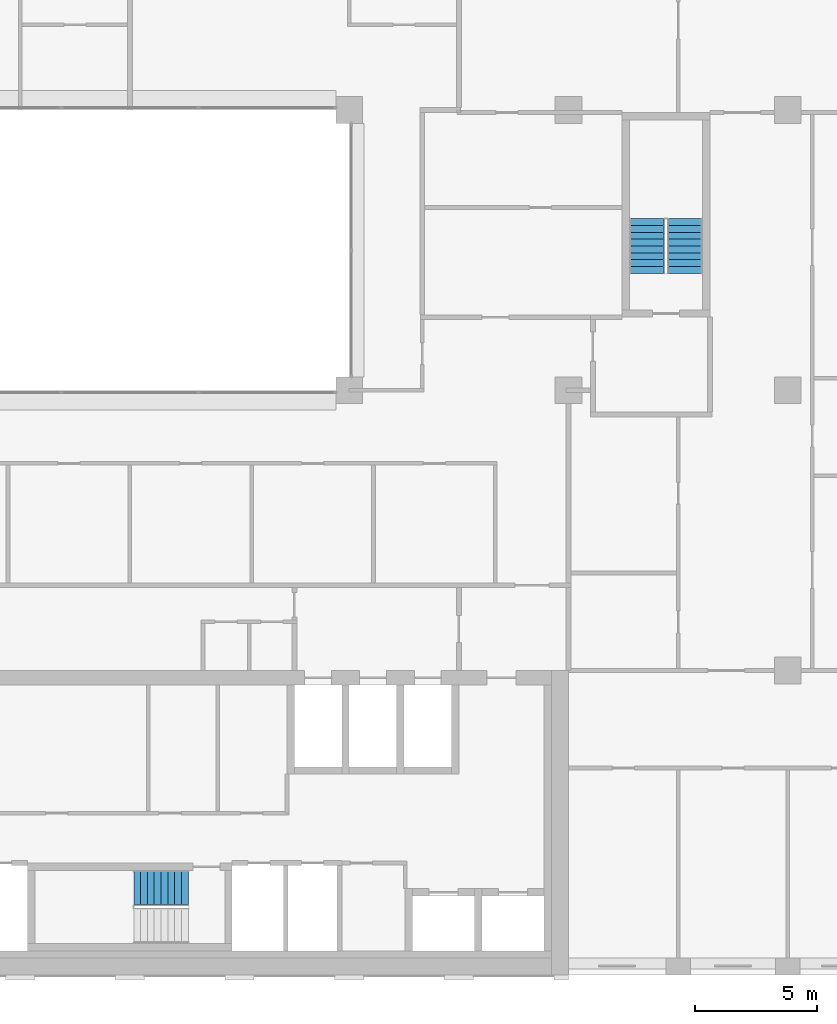
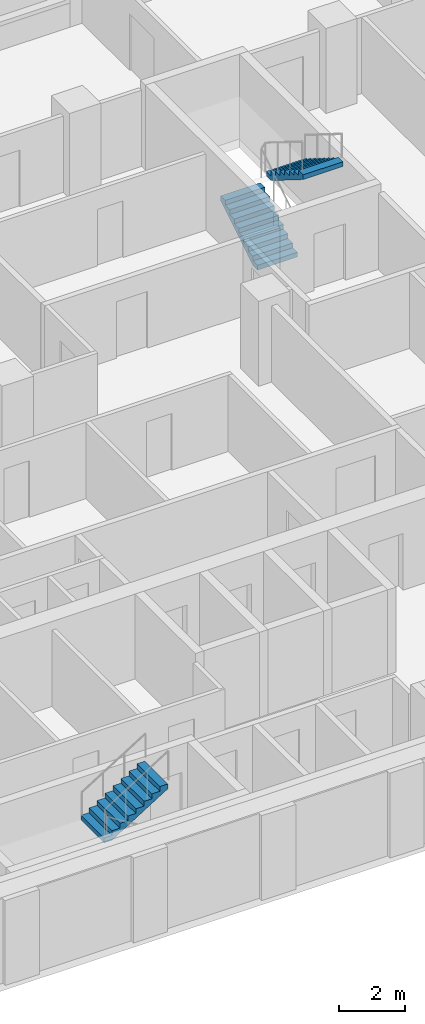
# One storey, part 15 of 16: 3 stair flights, 2 elements without a shape of their own.
"""IFC4 building model written with IfcOpenShell, lengths in metres."""

from ifc_helpers import new_model, si_unit, direction, frame, origin, place, context, subcontext, project, spatial, polyline, outline, extrude, material, type_object, element, aggregate, save


model = new_model("IFC4")

# Units and contexts
model_context = context("Model", 3, precision=1e-05, world=origin(), true_north=direction((0.0, 1.0)))
body_context = subcontext(model_context, "Body", "Model", "MODEL_VIEW")
ifc_project = project(units=[si_unit("LENGTHUNIT", "METRE"), si_unit("AREAUNIT", "SQUARE_METRE"), si_unit("VOLUMEUNIT", "CUBIC_METRE"), si_unit("PLANEANGLEUNIT", "RADIAN"), si_unit("MASSUNIT", "GRAM", prefix="KILO")], contexts=[model_context])

# Site, building, storey
site_placement = place(None, origin())
site = spatial("IfcSite", under=ifc_project, at=site_placement, CompositionType="ELEMENT")
building_placement = place(site_placement, origin())
building = spatial("IfcBuilding", under=site, at=building_placement, Name="Brigalow Station Residences", CompositionType="ELEMENT")
storey_placement = place(building_placement, frame((0.0, 0.0, 166.5)))
storey = spatial("IfcBuildingStorey", under=building, at=storey_placement, Name="L48", CompositionType="ELEMENT", Elevation=166.5)

# Stair, stair flight
ifc_material_1 = material(Name="Concrete C50", Category="concrete")
stair_type = type_object("IfcStairType", Name="EXIT STAIR 1400 2 FLIGHT", PredefinedType="HALF_TURN_STAIR", material=ifc_material_1)
stair_1_placement = place(storey_placement, origin())
stair_1 = element("IfcStair", 1, at=stair_1_placement, inside=storey, type_object=stair_type, Name="EXIT STAIR S2 L48", PredefinedType="HALF_TURN_STAIR")
ifc_material_2 = material(Name="Concrete C50", Category="concrete")
stair_flight_type = type_object("IfcStairFlightType", Name="STAIR FLIGHT 1400", PredefinedType="STRAIGHT", material=ifc_material_2)
stair_flight_1_placement = place(storey_placement, frame((36.159912109375, 3.60009765625, 1.574951171875), z_axis=(0.0, 0.0, 1.0), x_axis=(1.0, 0.0, 0.0)))
stair_flight_1 = element("IfcStairFlight", 2, at=stair_flight_1_placement, type_object=stair_flight_type, Name="ST-2 flight 2", NumberOfRisers=9, NumberOfTreads=8, PredefinedType="STRAIGHT", RiserHeight=0.175, TreadLength=0.28, context=body_context, shape_type="SweptSolid", body=[
    extrude(outline(polyline([(0.0, 0.0), (0.0, 0.175048828125), (0.280029296875, 0.175048828125), (0.280029296875, 0.35009765625), (0.56005859375, 0.35009765625), (0.56005859375, 0.52490234375), (0.840087890625, 0.52490234375), (0.840087890625, 0.699951171875), (1.1201171875, 0.699951171875), (1.1201171875, 0.875), (1.39990234375, 0.875), (1.39990234375, 1.050048828125), (1.679931640625, 1.050048828125), (1.679931640625, 1.22509765625), (1.9599609375, 1.22509765625), (1.9599609375, 1.39990234375), (2.239990234375, 1.39990234375), (2.239990234375, 1.574951171875), (2.239990234375, 1.22314453125), (0.28271484375, 0.0), (0.0, 0.0)])), frame((0.0, 0.699951171875, 0.0), z_axis=(0.0, -1.0, 0.0), x_axis=(1.0, 0.0, 0.0)), (0.0, 0.0, 1.0), 1.39990234375),
])
aggregate(stair_1, [stair_flight_1])

# Stair, stair flights
stair_2_placement = place(storey_placement, origin())
stair_2 = element("IfcStair", 3, at=stair_2_placement, inside=storey, type_object=stair_type, Name="EXIT STAIR S3 L48", PredefinedType="HALF_TURN_STAIR")
stair_flight_2_placement = place(storey_placement, frame((57.199951171875, 28.800048828125, 0.0), z_axis=(0.0, 0.0, 1.0), x_axis=(0.0, 1.0, 0.0)))
stair_flight_2 = element("IfcStairFlight", 4, at=stair_flight_2_placement, type_object=stair_flight_type, Name="ST-3 flight 1", NumberOfRisers=9, NumberOfTreads=8, PredefinedType="STRAIGHT", RiserHeight=0.175, TreadLength=0.28, context=body_context, shape_type="SweptSolid", body=[
    extrude(outline(polyline([(0.0, 0.0), (0.0, 0.175048828125), (0.280029296875, 0.175048828125), (0.280029296875, 0.35009765625), (0.56005859375, 0.35009765625), (0.56005859375, 0.52490234375), (0.840087890625, 0.52490234375), (0.840087890625, 0.699951171875), (1.1201171875, 0.699951171875), (1.1201171875, 0.875), (1.39990234375, 0.875), (1.39990234375, 1.050048828125), (1.679931640625, 1.050048828125), (1.679931640625, 1.22509765625), (1.9599609375, 1.22509765625), (1.9599609375, 1.39990234375), (2.239990234375, 1.39990234375), (2.239990234375, 1.574951171875), (2.239990234375, 1.22314453125), (0.28271484375, 0.0), (0.0, 0.0)])), frame((0.0, 0.699951171875, 0.0), z_axis=(0.0, -1.0, 0.0), x_axis=(1.0, 0.0, 0.0)), (0.0, 0.0, 1.0), 1.39990234375),
])
stair_flight_3_placement = place(storey_placement, frame((58.800048828125, 31.0400390625, 1.574951171875), z_axis=(0.0, 0.0, 1.0), x_axis=(0.0, -1.0, 0.0)))
stair_flight_3 = element("IfcStairFlight", 5, at=stair_flight_3_placement, type_object=stair_flight_type, Name="ST-3 flight 2", NumberOfRisers=9, NumberOfTreads=8, PredefinedType="STRAIGHT", RiserHeight=0.175, TreadLength=0.28, context=body_context, shape_type="SweptSolid", body=[
    extrude(outline(polyline([(0.0, 0.0), (0.0, 0.175048828125), (0.280029296875, 0.175048828125), (0.280029296875, 0.35009765625), (0.56005859375, 0.35009765625), (0.56005859375, 0.52490234375), (0.840087890625, 0.52490234375), (0.840087890625, 0.699951171875), (1.1201171875, 0.699951171875), (1.1201171875, 0.875), (1.39990234375, 0.875), (1.39990234375, 1.050048828125), (1.679931640625, 1.050048828125), (1.679931640625, 1.22509765625), (1.9599609375, 1.22509765625), (1.9599609375, 1.39990234375), (2.239990234375, 1.39990234375), (2.239990234375, 1.574951171875), (2.239990234375, 1.22314453125), (0.28271484375, 0.0), (0.0, 0.0)])), frame((0.0, 0.699951171875, 0.0), z_axis=(0.0, -1.0, 0.0), x_axis=(1.0, 0.0, 0.0)), (0.0, 0.0, 1.0), 1.39990234375),
])
aggregate(stair_2, [stair_flight_2, stair_flight_3])

save(model, "model.ifc")
